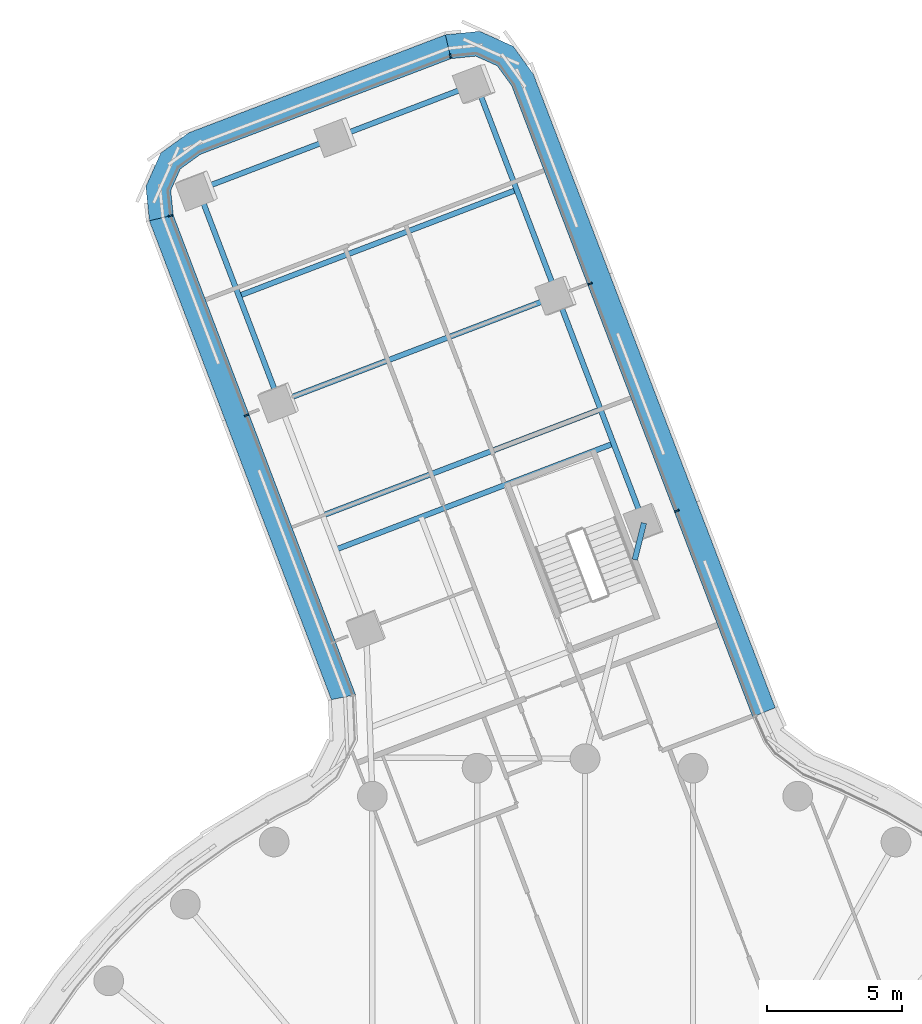
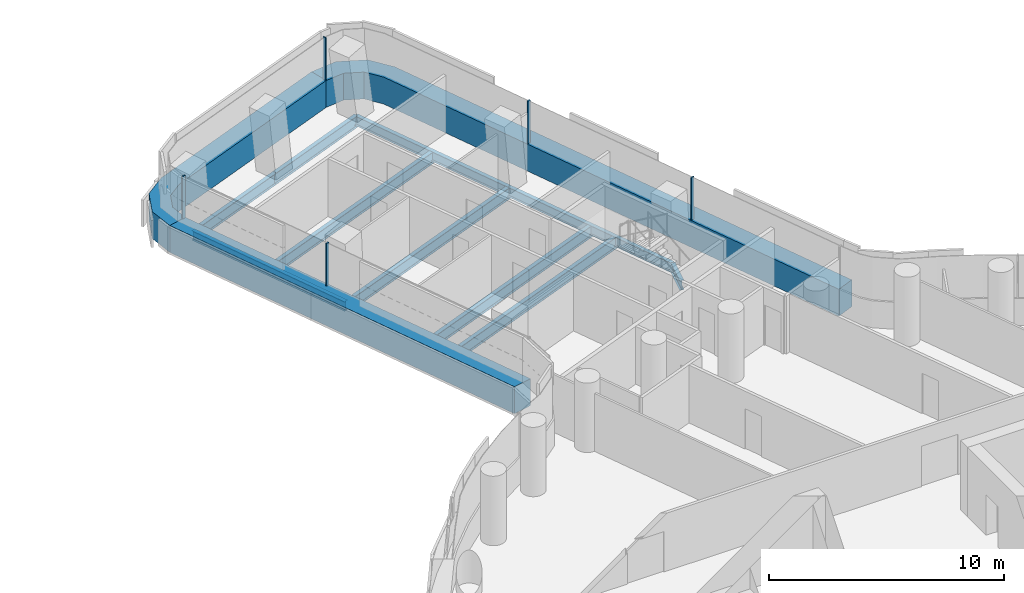
# One storey, part 15 of 32: 10 beams, 8 members, 3 elements without a shape of their own.
"""IFC4 building model written with IfcOpenShell, lengths in metres."""

from ifc_helpers import new_model, si_unit, direction, frame, origin, origin_2d, place, context, subcontext, project, spatial, polyline, rectangle, i_section, outline, extrude, material, layer, layer_set, material_profile, profile_set, type_object, element, aggregate, save


model = new_model("IFC4")

# Units and contexts
model_context = context("Model", 3, precision=1e-05, world=origin(), true_north=direction((0.0, 1.0)))
body_context = subcontext(model_context, "Body", "Model", "MODEL_VIEW")
ifc_project = project(units=[si_unit("LENGTHUNIT", "METRE"), si_unit("AREAUNIT", "SQUARE_METRE"), si_unit("VOLUMEUNIT", "CUBIC_METRE"), si_unit("PLANEANGLEUNIT", "RADIAN"), si_unit("MASSUNIT", "GRAM", prefix="KILO")], contexts=[model_context])

# Site, building, storey
site_placement = place(None, origin())
site = spatial("IfcSite", under=ifc_project, at=site_placement, CompositionType="ELEMENT")
building_placement = place(site_placement, origin())
building = spatial("IfcBuilding", under=site, at=building_placement, Name="Tamarind Cross Interchange Tower", CompositionType="ELEMENT")
storey_placement = place(building_placement, frame((0.0, 0.0, 109.75)))
storey = spatial("IfcBuildingStorey", under=building, at=storey_placement, Name="L26", CompositionType="ELEMENT", Elevation=109.75)

# Beams
ifc_material_1 = material(Name="Steel Q355B", Category="steel")
ifc_material_profile_1 = material_profile(ifc_material_1, i_section(OverallWidth=0.198974609375, OverallDepth=0.49609375, WebThickness=0.009033203125, FlangeThickness=0.013916015625, FilletRadius=0.012939453125, at=origin_2d()), Name="HN 496x199x9x14")
ifc_profile_set_1 = profile_set([ifc_material_profile_1], Name="Steel Q355B")
beam_type_1 = type_object("IfcBeamType", Name="Composite beam HN 496x199x9x14 Q355B", PredefinedType="BEAM", material=ifc_profile_set_1)
beam_1_placement = place(storey_placement, frame((-4.025390625, 47.9638671875, -0.387939453125), z_axis=(0.356667865353, -0.934231252862, 0.0), x_axis=(0.934231252862, 0.356667865353, 0.0)))
element("IfcBeam", 1, at=beam_1_placement, inside=storey, type_object=beam_type_1, Name="Beam N-edgeem5", PredefinedType="BEAM", context=body_context, shape_type="SweptSolid", body=[
    extrude(i_section(OverallWidth=0.198974609375, OverallDepth=0.49609375, WebThickness=0.009033203125, FlangeThickness=0.013916015625, FilletRadius=0.012939453125, at=origin_2d()), origin(), (0.0, 0.0, 1.0), 8.39208984375),
])
beam_2_placement = place(storey_placement, frame((-1.0322265625, 40.123779296875, -0.387939453125), z_axis=(0.356691234546, -0.934222330711, 0.0), x_axis=(0.934222330711, 0.356691234546, 0.0)))
element("IfcBeam", 2, at=beam_2_placement, inside=storey, type_object=beam_type_1, Name="Beam N-edgeem6", PredefinedType="BEAM", context=body_context, shape_type="SweptSolid", body=[
    extrude(i_section(OverallWidth=0.198974609375, OverallDepth=0.49609375, WebThickness=0.009033203125, FlangeThickness=0.013916015625, FilletRadius=0.012939453125, at=origin_2d()), origin(), (0.0, 0.0, 1.0), 9.0),
])
beam_3_placement = place(storey_placement, frame((-14.3017578125, 44.040283203125, -0.387939453125), z_axis=(0.356677559349, -0.934227551861, 0.0), x_axis=(0.934227551861, 0.356677559349, 0.0)))
element("IfcBeam", 3, at=beam_3_placement, inside=storey, type_object=beam_type_1, Name="Beam N-edgeep2", PredefinedType="BEAM", context=body_context, shape_type="SweptSolid", body=[
    extrude(i_section(OverallWidth=0.198974609375, OverallDepth=0.49609375, WebThickness=0.009033203125, FlangeThickness=0.013916015625, FilletRadius=0.012939453125, at=origin_2d()), origin(), (0.0, 0.0, 1.0), 8.391845703125),
])
beam_4_placement = place(storey_placement, frame((2.177978515625, 31.7158203125, -0.387939453125), z_axis=(-0.242494517086, -0.970152776208, 0.0), x_axis=(0.970152776208, -0.242494517086, 0.0)))
element("IfcBeam", 4, at=beam_4_placement, inside=storey, type_object=beam_type_1, Name="Beam N-linkemt0", PredefinedType="BEAM", context=body_context, shape_type="SweptSolid", body=[
    extrude(i_section(OverallWidth=0.198974609375, OverallDepth=0.49609375, WebThickness=0.009033203125, FlangeThickness=0.013916015625, FilletRadius=0.012939453125, at=origin_2d()), origin(), (0.0, 0.0, 1.0), 1.3974609375),
])
ifc_material_profile_2 = material_profile(ifc_material_1, i_section(OverallWidth=0.199951171875, OverallDepth=0.60009765625, WebThickness=0.010986328125, FlangeThickness=0.01708984375, FilletRadius=0.012939453125, at=origin_2d()), Name="HN 600x200x11x17")
ifc_profile_set_2 = profile_set([ifc_material_profile_2], Name="Steel Q355B")
beam_type_2 = type_object("IfcBeamType", Name="Composite beam HN 600x200x11x17 Q355B", PredefinedType="BEAM", material=ifc_profile_set_2)
for number, where, z_axis, x_axis, name in (
    (5, (-4.025390625, 47.9638671875, -0.43994140625), (-0.93421462086, -0.356711427028, 0.0), (0.356711427028, -0.93421462086, 0.0), "Beam N-tip0"),
    (6, (-9.16357421875, 46.001953125, -0.43994140625), (-0.934229412763, -0.356672685145, 0.0), (0.356672685145, -0.934229412763, 0.0), "Beam N-tip1"),
):
    element("IfcBeam", number, at=place(storey_placement, frame(where, z_axis=z_axis, x_axis=x_axis)), inside=storey, type_object=beam_type_2, Name=name, PredefinedType="BEAM", context=body_context, shape_type="SweptSolid", body=[
        extrude(i_section(OverallWidth=0.199951171875, OverallDepth=0.60009765625, WebThickness=0.010986328125, FlangeThickness=0.01708984375, FilletRadius=0.012939453125, at=origin_2d()), origin(), (0.0, 0.0, 1.0), 5.5),
    ])
beam_5_placement = place(storey_placement, frame((1.054443359375, 34.65869140625, -0.43994140625), z_axis=(-0.934224840688, -0.356684660507, 0.0), x_axis=(0.356684660507, -0.934224840688, 0.0)))
element("IfcBeam", 7, at=beam_5_placement, inside=storey, type_object=beam_type_2, Name="Beam N-x334", PredefinedType="BEAM", context=body_context, shape_type="SweptSolid", body=[
    extrude(i_section(OverallWidth=0.199951171875, OverallDepth=0.60009765625, WebThickness=0.010986328125, FlangeThickness=0.01708984375, FilletRadius=0.012939453125, at=origin_2d()), origin(), (0.0, 0.0, 1.0), 11.000244140625),
])
beam_6_placement = place(storey_placement, frame((-1.0322265625, 40.123779296875, -0.43994140625), z_axis=(-0.934229412763, -0.356672685145, 0.0), x_axis=(0.356672685145, -0.934229412763, 0.0)))
element("IfcBeam", 8, at=beam_6_placement, inside=storey, type_object=beam_type_2, Name="Beam N-x393", PredefinedType="BEAM", context=body_context, shape_type="SweptSolid", body=[
    extrude(i_section(OverallWidth=0.199951171875, OverallDepth=0.60009765625, WebThickness=0.010986328125, FlangeThickness=0.01708984375, FilletRadius=0.012939453125, at=origin_2d()), origin(), (0.0, 0.0, 1.0), 10.999755859375),
])
beam_7_placement = place(storey_placement, frame((0.57275390625, 35.919921875, -0.43994140625), z_axis=(-0.934222016954, -0.356692056316, 0.0), x_axis=(0.356692056316, -0.934222016954, 0.0)))
element("IfcBeam", 9, at=beam_7_placement, inside=storey, type_object=beam_type_2, Name="Beam N-x348", PredefinedType="BEAM", context=body_context, shape_type="SweptSolid", body=[
    extrude(i_section(OverallWidth=0.199951171875, OverallDepth=0.60009765625, WebThickness=0.010986328125, FlangeThickness=0.01708984375, FilletRadius=0.012939453125, at=origin_2d()), origin(), (0.0, 0.0, 1.0), 11.0),
])
beam_8_placement = place(storey_placement, frame((-2.52880859375, 44.043701171875, -0.43994140625), z_axis=(-0.934229412763, -0.356672685145, 0.0), x_axis=(0.356672685145, -0.934229412763, 0.0)))
element("IfcBeam", 10, at=beam_8_placement, inside=storey, type_object=beam_type_2, Name="Beam N-x435", PredefinedType="BEAM", context=body_context, shape_type="SweptSolid", body=[
    extrude(i_section(OverallWidth=0.199951171875, OverallDepth=0.60009765625, WebThickness=0.010986328125, FlangeThickness=0.01708984375, FilletRadius=0.012939453125, at=origin_2d()), origin(), (0.0, 0.0, 1.0), 10.999755859375),
])

# Curtain wall, member
ifc_material_2 = material(Name="Aluminium 6063-T6", Category="aluminium")
ifc_layer = layer(ifc_material_2, 0.159912109375)
ifc_layer_set = layer_set([ifc_layer], Name="Aluminium 6063-T6")
curtain_wall_type = type_object("IfcCurtainWallType", Name="Office curtain wall, 9.0 m bays", PredefinedType="NOTDEFINED", material=ifc_layer_set)
curtain_wall_1_placement = place(storey_placement, origin())
curtain_wall_1 = element("IfcCurtainWall", 11, at=curtain_wall_1_placement, inside=storey, type_object=curtain_wall_type, Name="CWS-L26-11", PredefinedType="NOTDEFINED")
ifc_material_3 = material(Name="Aluminium and insulated spandrel panel", Category="aluminium")
member_type_1 = type_object("IfcMemberType", Name="Floor-edge blade transom", PredefinedType="USERDEFINED", material=ifc_material_3)
member_1_placement = place(storey_placement, origin())
member_1 = element("IfcMember", 12, at=member_1_placement, type_object=member_type_1, Name="CWT-L26-11", ObjectType="TRANSOM", PredefinedType="USERDEFINED", context=body_context, shape_type="SweptSolid", body=[
    extrude(outline(polyline([(6.20068359375, 24.543212890625), (-2.7119140625, 47.8876953125), (-3.24853515625, 48.62939453125), (-4.046875, 48.986328125), (-4.957275390625, 48.892333984375), (-5.167724609375, 49.775390625), (-3.8994140625, 49.906494140625), (-2.660888671875, 49.352294921875), (-1.913330078125, 48.3193359375), (7.033447265625, 24.885498046875), (6.20068359375, 24.543212890625)])), origin(), (0.0, 0.0, 1.0), 1.39990234375),
])

curtain_wall_2_placement = place(storey_placement, origin())
curtain_wall_2 = element("IfcCurtainWall", 13, at=curtain_wall_2_placement, inside=storey, type_object=curtain_wall_type, Name="CWS-L26-12", PredefinedType="NOTDEFINED")
member_2_placement = place(storey_placement, origin())
member_2 = element("IfcMember", 14, at=member_2_placement, type_object=member_type_1, Name="CWT-L26-12", ObjectType="TRANSOM", PredefinedType="USERDEFINED", context=body_context, shape_type="SweptSolid", body=[
    extrude(outline(polyline([(-4.957275390625, 48.892333984375), (-14.225830078125, 45.353759765625), (-14.96728515625, 44.817138671875), (-15.324462890625, 44.018798828125), (-15.23046875, 43.108154296875), (-16.113525390625, 42.8984375), (-16.24462890625, 44.166259765625), (-15.6904296875, 45.40478515625), (-14.657470703125, 46.15234375), (-5.167724609375, 49.775390625), (-4.957275390625, 48.892333984375)])), origin(), (0.0, 0.0, 1.0), 1.39990234375),
])

curtain_wall_3_placement = place(storey_placement, origin())
curtain_wall_3 = element("IfcCurtainWall", 15, at=curtain_wall_3_placement, inside=storey, type_object=curtain_wall_type, Name="CWS-L26-13", PredefinedType="NOTDEFINED")
member_3_placement = place(storey_placement, origin())
member_3 = element("IfcMember", 16, at=member_3_placement, type_object=member_type_1, Name="CWT-L26-13", ObjectType="TRANSOM", PredefinedType="USERDEFINED", context=body_context, shape_type="SweptSolid", body=[
    extrude(outline(polyline([(-15.23046875, 43.108154296875), (-8.4892578125, 25.366455078125), (-9.38232421875, 25.182861328125), (-16.113525390625, 42.8984375), (-15.23046875, 43.108154296875)])), origin(), (0.0, 0.0, 1.0), 1.39990234375),
])

# Member
ifc_material_profile_3 = material_profile(ifc_material_2, rectangle(XDim=0.06005859375, YDim=0.159912109375, at=origin_2d()), Name="Mullion CW1")
ifc_profile_set_3 = profile_set([ifc_material_profile_3], Name="Aluminium 6063-T6")
member_type_2 = type_object("IfcMemberType", Name="Mullion CW1", PredefinedType="MULLION", material=ifc_profile_set_3)
member_4_placement = place(storey_placement, frame((3.396728515625, 32.168212890625, 1.39990234375), z_axis=(0.0, 0.0, 1.0), x_axis=(-0.356672778674, 0.934229377055, 0.0)))
member_4 = element("IfcMember", 17, at=member_4_placement, type_object=member_type_2, Name="CWM-L26-11-01", PredefinedType="MULLION", context=body_context, shape_type="SweptSolid", body=[
    extrude(rectangle(XDim=0.06005859375, YDim=0.159912109375, at=origin_2d()), origin(), (0.0, 0.0, 1.0), 2.210205078125),
])

member_5_placement = place(storey_placement, frame((0.189208984375, 40.5693359375, 1.39990234375), z_axis=(0.0, 0.0, 1.0), x_axis=(-0.356672778674, 0.934229377055, 0.0)))
member_5 = element("IfcMember", 18, at=member_5_placement, type_object=member_type_2, Name="CWM-L26-11-02", PredefinedType="MULLION", context=body_context, shape_type="SweptSolid", body=[
    extrude(rectangle(XDim=0.06005859375, YDim=0.159912109375, at=origin_2d()), origin(), (0.0, 0.0, 1.0), 2.210205078125),
])

aggregate(curtain_wall_1, [member_4, member_5, member_1])

member_6_placement = place(storey_placement, frame((-4.980712890625, 48.990478515625, 1.39990234375), z_axis=(0.0, 0.0, 1.0), x_axis=(-0.972792054895, -0.231679990362, 0.0)))
member_6 = element("IfcMember", 19, at=member_6_placement, type_object=member_type_2, Name="CWM-L26-12-00", PredefinedType="MULLION", context=body_context, shape_type="SweptSolid", body=[
    extrude(rectangle(XDim=0.06005859375, YDim=0.159912109375, at=origin_2d()), origin(), (0.0, 0.0, 1.0), 2.210205078125),
])

aggregate(curtain_wall_2, [member_6, member_2])

member_7_placement = place(storey_placement, frame((-15.32861328125, 43.084716796875, 1.39990234375), z_axis=(0.0, 0.0, 1.0), x_axis=(0.230905959127, -0.972976072696, 0.0)))
member_7 = element("IfcMember", 20, at=member_7_placement, type_object=member_type_2, Name="CWM-L26-13-00", PredefinedType="MULLION", context=body_context, shape_type="SweptSolid", body=[
    extrude(rectangle(XDim=0.06005859375, YDim=0.159912109375, at=origin_2d()), origin(), (0.0, 0.0, 1.0), 2.210205078125),
])

member_8_placement = place(storey_placement, frame((-12.524658203125, 35.705078125, 1.39990234375), z_axis=(0.0, 0.0, 1.0), x_axis=(0.355185773082, -0.934795735228, 0.0)))
member_8 = element("IfcMember", 21, at=member_8_placement, type_object=member_type_2, Name="CWM-L26-13-01", PredefinedType="MULLION", context=body_context, shape_type="SweptSolid", body=[
    extrude(rectangle(XDim=0.06005859375, YDim=0.159912109375, at=origin_2d()), origin(), (0.0, 0.0, 1.0), 2.210205078125),
])

aggregate(curtain_wall_3, [member_7, member_8, member_3])

save(model, "model.ifc")
